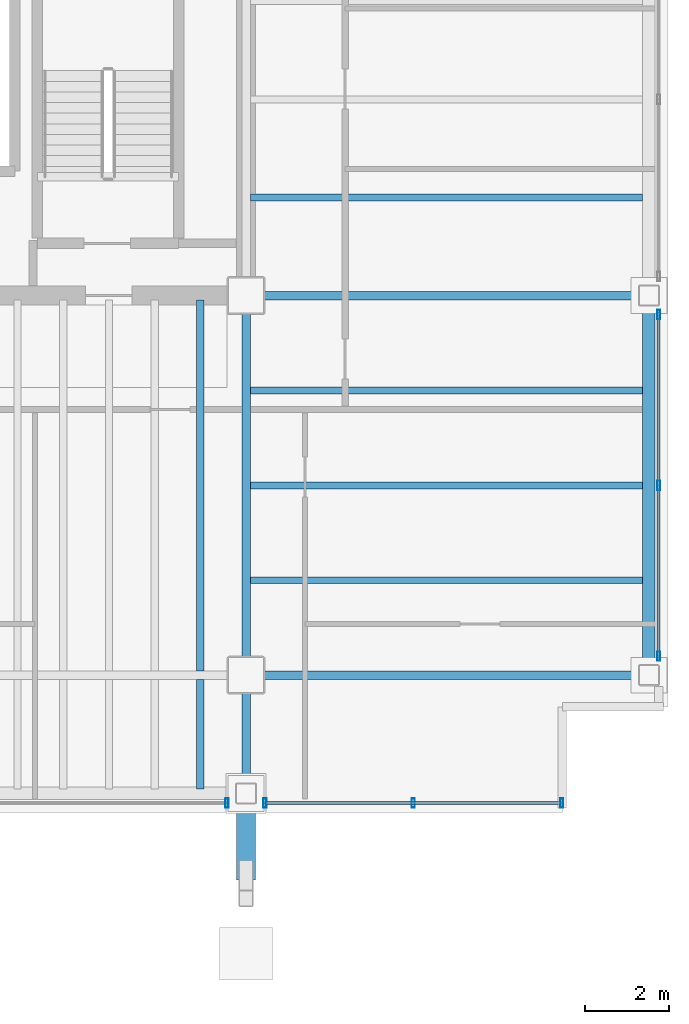
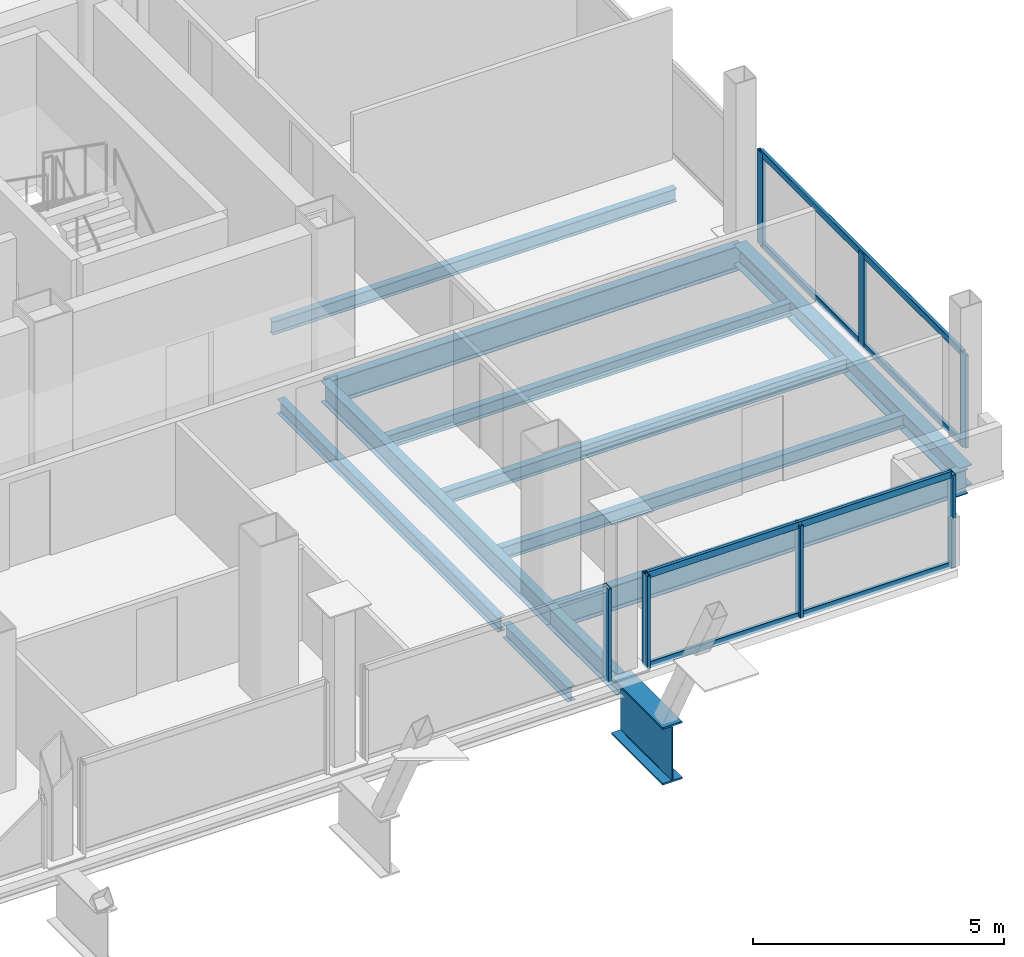
# One storey, part 10 of 16: 12 beams, 11 members, 3 elements without a shape of their own.
"""IFC4 building model written with IfcOpenShell, lengths in metres."""

from ifc_helpers import new_model, si_unit, direction, frame, origin, origin_2d, place, context, subcontext, project, spatial, hollow_rectangle, i_section, extrude, material, material_profile, profile_set, type_object, element, aggregate, save


model = new_model("IFC4")

# Units and contexts
model_context = context("Model", 3, precision=1e-05, world=origin(), true_north=direction((0.0, 1.0)))
body_context = subcontext(model_context, "Body", "Model", "MODEL_VIEW")
ifc_project = project(units=[si_unit("LENGTHUNIT", "METRE"), si_unit("AREAUNIT", "SQUARE_METRE"), si_unit("VOLUMEUNIT", "CUBIC_METRE"), si_unit("PLANEANGLEUNIT", "RADIAN"), si_unit("MASSUNIT", "GRAM", prefix="KILO")], contexts=[model_context])

# Site, building, storey
site_placement = place(None, origin())
site = spatial("IfcSite", under=ifc_project, at=site_placement, CompositionType="ELEMENT")
building_placement = place(site_placement, origin())
building = spatial("IfcBuilding", under=site, at=building_placement, Name="Noeulbin Bourse Tower", CompositionType="ELEMENT")
storey_placement = place(building_placement, frame((0.0, 0.0, 192.89990234375)))
storey = spatial("IfcBuildingStorey", under=building, at=storey_placement, Name="L48", CompositionType="ELEMENT", Elevation=192.89990234375)

# Beams
ifc_material_1 = material(Name="Steel S355", Category="steel")
ifc_material_profile_1 = material_profile(ifc_material_1, i_section(OverallWidth=0.199951171875, OverallDepth=0.5, WebThickness=0.010009765625, FlangeThickness=0.01611328125, FilletRadius=0.02001953125, at=origin_2d()), Name="H-500x200x10x16", Category="LoadBearing")
ifc_profile_set_1 = profile_set([ifc_material_profile_1], Name="Steel S355")
beam_type_1 = type_object("IfcBeamType", Name="BM-GRD-500", PredefinedType="USERDEFINED", material=ifc_profile_set_1)
beam_1_placement = place(storey_placement, frame((44.0, 17.199951171875, -0.429931640625), z_axis=(0.0, 1.0, 0.0), x_axis=(-1.0, 0.0, 0.0)))
element("IfcBeam", 1, at=beam_1_placement, inside=storey, type_object=beam_type_1, Name="Tower Primary Girder NS L48-5.1", ObjectType="GIRDER", PredefinedType="USERDEFINED", context=body_context, shape_type="SweptSolid", body=[
    extrude(i_section(OverallWidth=0.199951171875, OverallDepth=0.5, WebThickness=0.010009765625, FlangeThickness=0.01611328125, FilletRadius=0.02001953125, at=origin_2d()), origin(), (0.0, 0.0, 1.0), 2.800048828125),
])
beam_2_placement = place(storey_placement, frame((44.0, 20.0, -0.429931640625), z_axis=(0.0, 1.0, 0.0), x_axis=(-1.0, 0.0, 0.0)))
element("IfcBeam", 2, at=beam_2_placement, inside=storey, type_object=beam_type_1, Name="Tower Primary Girder NS L48-5.2", ObjectType="GIRDER", PredefinedType="USERDEFINED", context=body_context, shape_type="SweptSolid", body=[
    extrude(i_section(OverallWidth=0.199951171875, OverallDepth=0.5, WebThickness=0.010009765625, FlangeThickness=0.01611328125, FilletRadius=0.02001953125, at=origin_2d()), origin(), (0.0, 0.0, 1.0), 9.0),
])
ifc_material_profile_2 = material_profile(ifc_material_1, i_section(OverallWidth=0.199951171875, OverallDepth=0.60009765625, WebThickness=0.010986328125, FlangeThickness=0.01708984375, FilletRadius=0.02197265625, at=origin_2d()), Name="H-600x200x11x17", Category="LoadBearing")
ifc_profile_set_2 = profile_set([ifc_material_profile_2], Name="Steel S355")
beam_type_2 = type_object("IfcBeamType", Name="BM-GRD-600", PredefinedType="USERDEFINED", material=ifc_profile_set_2)
for number, where, z_axis, x_axis, name in (
    (3, (44.0, 20.0, -0.47998046875), (1.0, 0.0, 0.0), (0.0, 1.0, 0.0), "Tower Primary Girder EW L48-1.6"),
    (4, (44.0, 29.0, -0.47998046875), (1.0, 0.0, 0.0), (0.0, 1.0, 0.0), "Tower Primary Girder EW L48-2.6"),
):
    element("IfcBeam", number, at=place(storey_placement, frame(where, z_axis=z_axis, x_axis=x_axis)), inside=storey, type_object=beam_type_2, Name=name, ObjectType="GIRDER", PredefinedType="USERDEFINED", context=body_context, shape_type="SweptSolid", body=[
        extrude(i_section(OverallWidth=0.199951171875, OverallDepth=0.60009765625, WebThickness=0.010986328125, FlangeThickness=0.01708984375, FilletRadius=0.02197265625, at=origin_2d()), origin(), (0.0, 0.0, 1.0), 9.550048828125),
    ])
ifc_material_profile_3 = material_profile(ifc_material_1, i_section(OverallWidth=0.159912109375, OverallDepth=0.320068359375, WebThickness=0.006591796875, FlangeThickness=0.010009765625, FilletRadius=0.012939453125, at=origin_2d()), Name="H-320x160x6.5x10", Category="LoadBearing")
ifc_profile_set_3 = profile_set([ifc_material_profile_3], Name="Steel S355")
beam_type_3 = type_object("IfcBeamType", Name="BM-JST-320", PredefinedType="JOIST", material=ifc_profile_set_3)
for number, where, z_axis, x_axis, name in (
    (5, (44.10009765625, 22.25, -0.33984375), (1.0, 0.0, 0.0), (0.0, 1.0, 0.0), "Wing Composite Joist L48-E73"),
    (6, (44.10009765625, 24.5, -0.33984375), (1.0, 0.0, 0.0), (0.0, 1.0, 0.0), "Wing Composite Joist L48-E74"),
    (7, (44.10009765625, 26.75, -0.33984375), (1.0, 0.0, 0.0), (0.0, 1.0, 0.0), "Wing Composite Joist L48-E75"),
    (8, (44.10009765625, 31.324951171875, -0.33984375), (1.0, 0.0, 0.0), (0.0, 1.0, 0.0), "Wing Composite Joist L48-E76"),
):
    element("IfcBeam", number, at=place(storey_placement, frame(where, z_axis=z_axis, x_axis=x_axis)), inside=storey, type_object=beam_type_3, Name=name, PredefinedType="JOIST", context=body_context, shape_type="SweptSolid", body=[
        extrude(i_section(OverallWidth=0.159912109375, OverallDepth=0.320068359375, WebThickness=0.006591796875, FlangeThickness=0.010009765625, FilletRadius=0.012939453125, at=origin_2d()), origin(), (0.0, 0.0, 1.0), 9.2998046875),
    ])
ifc_material_profile_4 = material_profile(ifc_material_1, i_section(OverallWidth=0.175048828125, OverallDepth=0.35009765625, WebThickness=0.007080078125, FlangeThickness=0.010986328125, FilletRadius=0.013916015625, at=origin_2d()), Name="H-350x175x7x11", Category="LoadBearing")
ifc_profile_set_4 = profile_set([ifc_material_profile_4], Name="Steel S355")
beam_type_4 = type_object("IfcBeamType", Name="BM-JST-350", PredefinedType="JOIST", material=ifc_profile_set_4)
beam_3_placement = place(storey_placement, frame((42.916748046875, 17.300048828125, -0.35498046875), z_axis=(0.0, 1.0, 0.0), x_axis=(-1.0, 0.0, 0.0)))
element("IfcBeam", 9, at=beam_3_placement, inside=storey, type_object=beam_type_4, Name="Tower Composite Joist L48-64", PredefinedType="JOIST", context=body_context, shape_type="SweptSolid", body=[
    extrude(i_section(OverallWidth=0.175048828125, OverallDepth=0.35009765625, WebThickness=0.007080078125, FlangeThickness=0.010986328125, FilletRadius=0.013916015625, at=origin_2d()), origin(), (0.0, 0.0, 1.0), 2.599853515625),
])
beam_4_placement = place(storey_placement, frame((42.916748046875, 20.10009765625, -0.35498046875), z_axis=(0.0, 1.0, 0.0), x_axis=(-1.0, 0.0, 0.0)))
element("IfcBeam", 10, at=beam_4_placement, inside=storey, type_object=beam_type_4, Name="Tower Composite Joist L48-65", PredefinedType="JOIST", context=body_context, shape_type="SweptSolid", body=[
    extrude(i_section(OverallWidth=0.175048828125, OverallDepth=0.35009765625, WebThickness=0.007080078125, FlangeThickness=0.010986328125, FilletRadius=0.013916015625, at=origin_2d()), origin(), (0.0, 0.0, 1.0), 8.7998046875),
])
ifc_material_profile_5 = material_profile(ifc_material_1, i_section(OverallWidth=0.300048828125, OverallDepth=0.488037109375, WebThickness=0.010986328125, FlangeThickness=0.01806640625, FilletRadius=0.02197265625, at=origin_2d()), Name="H-488x300x11x18", Category="LoadBearing")
ifc_profile_set_5 = profile_set([ifc_material_profile_5], Name="Steel S355")
beam_type_5 = type_object("IfcBeamType", Name="BM-SPN-488", PredefinedType="SPANDREL", material=ifc_profile_set_5)
beam_5_placement = place(storey_placement, frame((53.550048828125, 20.0, -0.423828125), z_axis=(0.0, 1.0, 0.0), x_axis=(-1.0, 0.0, 0.0)))
element("IfcBeam", 11, at=beam_5_placement, inside=storey, type_object=beam_type_5, Name="East Spandrel L48-1", PredefinedType="SPANDREL", context=body_context, shape_type="SweptSolid", body=[
    extrude(i_section(OverallWidth=0.300048828125, OverallDepth=0.488037109375, WebThickness=0.010986328125, FlangeThickness=0.01806640625, FilletRadius=0.02197265625, at=origin_2d()), origin(), (0.0, 0.0, 1.0), 9.0),
])
ifc_material_2 = material(Name="Steel S460", Category="steel")
ifc_material_profile_6 = material_profile(ifc_material_2, i_section(OverallWidth=0.449951171875, OverallDepth=1.39990234375, WebThickness=0.02392578125, FlangeThickness=0.0400390625, FilletRadius=0.02392578125, at=origin_2d()), Name="PG-1400x450x24x40", Category="LoadBearing")
ifc_profile_set_6 = profile_set([ifc_material_profile_6], Name="Steel S460")
beam_type_6 = type_object("IfcBeamType", Name="BM-TRF-1400", PredefinedType="USERDEFINED", material=ifc_profile_set_6)
beam_6_placement = place(storey_placement, frame((44.0, 15.14990234375, -0.8798828125), z_axis=(0.0, 1.0, 0.0), x_axis=(-1.0, 0.0, 0.0)))
element("IfcBeam", 12, at=beam_6_placement, inside=storey, type_object=beam_type_6, Name="Transfer Outrigger Corbel L48-05", ObjectType="GIRDER", PredefinedType="USERDEFINED", context=body_context, shape_type="SweptSolid", body=[
    extrude(i_section(OverallWidth=0.449951171875, OverallDepth=1.39990234375, WebThickness=0.02392578125, FlangeThickness=0.0400390625, FilletRadius=0.02392578125, at=origin_2d()), origin(), (0.0, 0.0, 1.0), 2.050048828125),
])

# Curtain wall, member
ifc_material_3 = material(Name="Dark Tinted Triple Glazing", Category="glass")
curtain_wall_type = type_object("IfcCurtainWallType", Name="CW-SYS-3", PredefinedType="NOTDEFINED", material=ifc_material_3)
curtain_wall_1_placement = place(storey_placement, origin())
curtain_wall_1 = element("IfcCurtainWall", 13, at=curtain_wall_1_placement, inside=storey, type_object=curtain_wall_type, Name="Unitised Curtain Wall CW-L48-S3-S3", PredefinedType="NOTDEFINED")
ifc_material_4 = material(Name="Anodised Aluminium 6063-T6", Category="aluminium")
ifc_material_profile_7 = material_profile(ifc_material_4, hollow_rectangle(XDim=0.074951171875, YDim=0.219970703125, WallThickness=0.0048828125, InnerFilletRadius=0.00244140625, OuterFilletRadius=0.0048828125, at=origin_2d()), Name="ALU-MULL-75x220x5", Category="LoadBearing")
ifc_profile_set_7 = profile_set([ifc_material_profile_7], Name="Anodised Aluminium 6063-T6")
member_type_1 = type_object("IfcMemberType", Name="CW-SYS-3-MUL", PredefinedType="MULLION", material=ifc_profile_set_7)
member_1_placement = place(storey_placement, frame((43.550048828125, 16.969970703125, -0.02001953125), z_axis=(0.0, 0.0, 1.0), x_axis=(1.0, 0.0, 0.0)))
member_1 = element("IfcMember", 14, at=member_1_placement, type_object=member_type_1, Name="Curtain Wall Mullion CW-L48-S3-S3-M01", PredefinedType="MULLION", context=body_context, shape_type="SweptSolid", body=[
    extrude(hollow_rectangle(XDim=0.074951171875, YDim=0.219970703125, WallThickness=0.0048828125, InnerFilletRadius=0.00244140625, OuterFilletRadius=0.0048828125, at=origin_2d()), origin(), (0.0, 0.0, 1.0), 2.260009765625),
])
aggregate(curtain_wall_1, [member_1])

# Curtain wall, members
curtain_wall_2_placement = place(storey_placement, origin())
curtain_wall_2 = element("IfcCurtainWall", 15, at=curtain_wall_2_placement, inside=storey, type_object=curtain_wall_type, Name="Unitised Curtain Wall CW-L48-S3-S4", PredefinedType="NOTDEFINED")
member_2_placement = place(storey_placement, frame((44.449951171875, 16.969970703125, -0.02001953125), z_axis=(0.0, 0.0, 1.0), x_axis=(1.0, 0.0, 0.0)))
member_2 = element("IfcMember", 16, at=member_2_placement, type_object=member_type_1, Name="Curtain Wall Mullion CW-L48-S3-S4-M00", PredefinedType="MULLION", context=body_context, shape_type="SweptSolid", body=[
    extrude(hollow_rectangle(XDim=0.074951171875, YDim=0.219970703125, WallThickness=0.0048828125, InnerFilletRadius=0.00244140625, OuterFilletRadius=0.0048828125, at=origin_2d()), origin(), (0.0, 0.0, 1.0), 2.260009765625),
])
member_3_placement = place(storey_placement, frame((47.965087890625, 16.969970703125, -0.02001953125), z_axis=(0.0, 0.0, 1.0), x_axis=(1.0, 0.0, 0.0)))
member_3 = element("IfcMember", 17, at=member_3_placement, type_object=member_type_1, Name="Curtain Wall Mullion CW-L48-S3-S4-M01", PredefinedType="MULLION", context=body_context, shape_type="SweptSolid", body=[
    extrude(hollow_rectangle(XDim=0.074951171875, YDim=0.219970703125, WallThickness=0.0048828125, InnerFilletRadius=0.00244140625, OuterFilletRadius=0.0048828125, at=origin_2d()), origin(), (0.0, 0.0, 1.0), 2.260009765625),
])
member_4_placement = place(storey_placement, frame((51.47998046875, 16.969970703125, -0.02001953125), z_axis=(0.0, 0.0, 1.0), x_axis=(1.0, 0.0, 0.0)))
member_4 = element("IfcMember", 18, at=member_4_placement, type_object=member_type_1, Name="Curtain Wall Mullion CW-L48-S3-S4-M02", PredefinedType="MULLION", context=body_context, shape_type="SweptSolid", body=[
    extrude(hollow_rectangle(XDim=0.074951171875, YDim=0.219970703125, WallThickness=0.0048828125, InnerFilletRadius=0.00244140625, OuterFilletRadius=0.0048828125, at=origin_2d()), origin(), (0.0, 0.0, 1.0), 2.260009765625),
])

curtain_wall_3_placement = place(storey_placement, origin())
curtain_wall_3 = element("IfcCurtainWall", 19, at=curtain_wall_3_placement, inside=storey, type_object=curtain_wall_type, Name="Unitised Curtain Wall CW-L48-E-S1", PredefinedType="NOTDEFINED")
member_5_placement = place(storey_placement, frame((53.780029296875, 20.449951171875, -0.02001953125), z_axis=(0.0, 0.0, 1.0), x_axis=(1.0, 0.0, 0.0)))
member_5 = element("IfcMember", 20, at=member_5_placement, type_object=member_type_1, Name="Curtain Wall Mullion CW-L48-E-S1-M00", PredefinedType="MULLION", context=body_context, shape_type="SweptSolid", body=[
    extrude(hollow_rectangle(XDim=0.074951171875, YDim=0.219970703125, WallThickness=0.0048828125, InnerFilletRadius=0.00244140625, OuterFilletRadius=0.0048828125, at=origin_2d()), origin(), (0.0, 0.0, 1.0), 2.260009765625),
])
member_6_placement = place(storey_placement, frame((53.780029296875, 24.5, -0.02001953125), z_axis=(0.0, 0.0, 1.0), x_axis=(1.0, 0.0, 0.0)))
member_6 = element("IfcMember", 21, at=member_6_placement, type_object=member_type_1, Name="Curtain Wall Mullion CW-L48-E-S1-M01", PredefinedType="MULLION", context=body_context, shape_type="SweptSolid", body=[
    extrude(hollow_rectangle(XDim=0.074951171875, YDim=0.219970703125, WallThickness=0.0048828125, InnerFilletRadius=0.00244140625, OuterFilletRadius=0.0048828125, at=origin_2d()), origin(), (0.0, 0.0, 1.0), 2.260009765625),
])
member_7_placement = place(storey_placement, frame((53.780029296875, 28.550048828125, -0.02001953125), z_axis=(0.0, 0.0, 1.0), x_axis=(1.0, 0.0, 0.0)))
member_7 = element("IfcMember", 22, at=member_7_placement, type_object=member_type_1, Name="Curtain Wall Mullion CW-L48-E-S1-M02", PredefinedType="MULLION", context=body_context, shape_type="SweptSolid", body=[
    extrude(hollow_rectangle(XDim=0.074951171875, YDim=0.219970703125, WallThickness=0.0048828125, InnerFilletRadius=0.00244140625, OuterFilletRadius=0.0048828125, at=origin_2d()), origin(), (0.0, 0.0, 1.0), 2.260009765625),
])

# Member
ifc_material_profile_8 = material_profile(ifc_material_4, hollow_rectangle(XDim=0.074951171875, YDim=0.159912109375, WallThickness=0.0048828125, InnerFilletRadius=0.00244140625, OuterFilletRadius=0.0048828125, at=origin_2d()), Name="ALU-TRAN-75x160x5", Category="LoadBearing")
ifc_profile_set_8 = profile_set([ifc_material_profile_8], Name="Anodised Aluminium 6063-T6")
member_type_2 = type_object("IfcMemberType", Name="CW-SYS-3-TRN", PredefinedType="USERDEFINED", material=ifc_profile_set_8)
member_8_placement = place(storey_placement, frame((44.4599609375, 16.969970703125, 0.010009765625), z_axis=(1.0, 0.0, 0.0), x_axis=(0.0, 1.0, 0.0)))
member_8 = element("IfcMember", 23, at=member_8_placement, type_object=member_type_2, Name="Curtain Wall Transom CW-L48-S3-S4-T00", ObjectType="TRANSOM", PredefinedType="USERDEFINED", context=body_context, shape_type="SweptSolid", body=[
    extrude(hollow_rectangle(XDim=0.074951171875, YDim=0.159912109375, WallThickness=0.0048828125, InnerFilletRadius=0.00244140625, OuterFilletRadius=0.0048828125, at=origin_2d()), origin(), (0.0, 0.0, 1.0), 7.010009765625),
])

member_9_placement = place(storey_placement, frame((44.4599609375, 16.969970703125, 2.210205078125), z_axis=(1.0, 0.0, 0.0), x_axis=(0.0, 1.0, 0.0)))
member_9 = element("IfcMember", 24, at=member_9_placement, type_object=member_type_2, Name="Curtain Wall Transom CW-L48-S3-S4-T01", ObjectType="TRANSOM", PredefinedType="USERDEFINED", context=body_context, shape_type="SweptSolid", body=[
    extrude(hollow_rectangle(XDim=0.074951171875, YDim=0.159912109375, WallThickness=0.0048828125, InnerFilletRadius=0.00244140625, OuterFilletRadius=0.0048828125, at=origin_2d()), origin(), (0.0, 0.0, 1.0), 7.010009765625),
])

aggregate(curtain_wall_2, [member_2, member_3, member_4, member_8, member_9])

member_10_placement = place(storey_placement, frame((53.780029296875, 20.4599609375, 0.010009765625), z_axis=(0.0, 1.0, 0.0), x_axis=(-1.0, 0.0, 0.0)))
member_10 = element("IfcMember", 25, at=member_10_placement, type_object=member_type_2, Name="Curtain Wall Transom CW-L48-E-S1-T00", ObjectType="TRANSOM", PredefinedType="USERDEFINED", context=body_context, shape_type="SweptSolid", body=[
    extrude(hollow_rectangle(XDim=0.074951171875, YDim=0.159912109375, WallThickness=0.0048828125, InnerFilletRadius=0.00244140625, OuterFilletRadius=0.0048828125, at=origin_2d()), origin(), (0.0, 0.0, 1.0), 8.080078125),
])

member_11_placement = place(storey_placement, frame((53.780029296875, 20.4599609375, 2.210205078125), z_axis=(0.0, 1.0, 0.0), x_axis=(-1.0, 0.0, 0.0)))
member_11 = element("IfcMember", 26, at=member_11_placement, type_object=member_type_2, Name="Curtain Wall Transom CW-L48-E-S1-T01", ObjectType="TRANSOM", PredefinedType="USERDEFINED", context=body_context, shape_type="SweptSolid", body=[
    extrude(hollow_rectangle(XDim=0.074951171875, YDim=0.159912109375, WallThickness=0.0048828125, InnerFilletRadius=0.00244140625, OuterFilletRadius=0.0048828125, at=origin_2d()), origin(), (0.0, 0.0, 1.0), 8.080078125),
])

aggregate(curtain_wall_3, [member_5, member_6, member_7, member_10, member_11])

save(model, "model.ifc")
